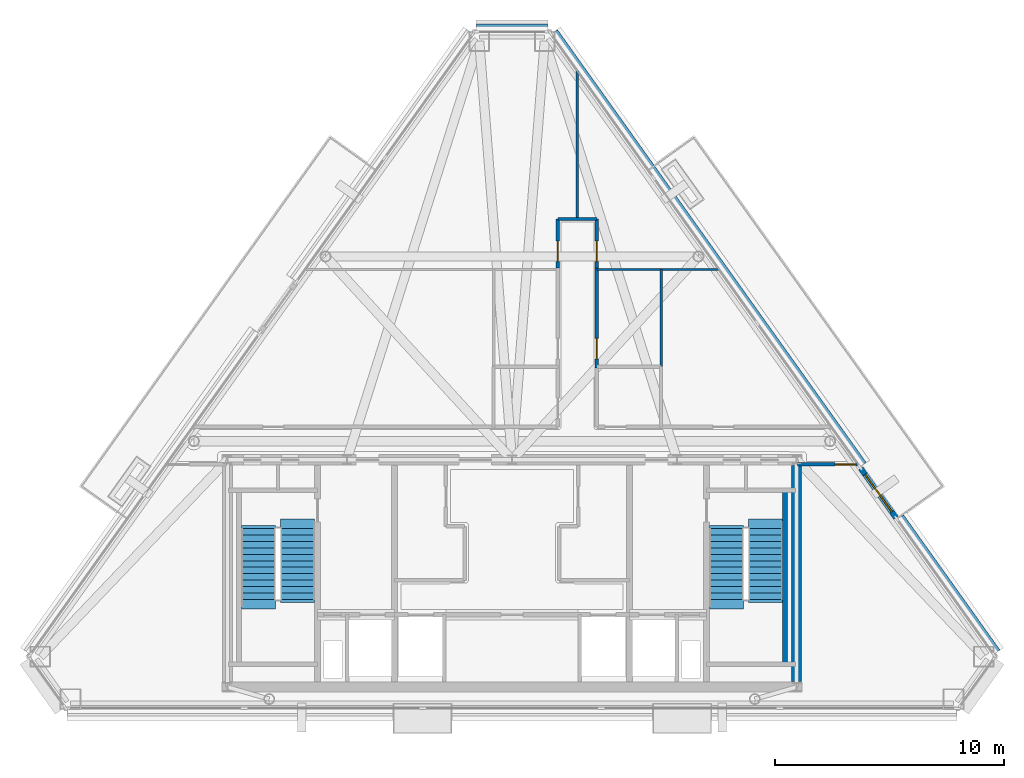
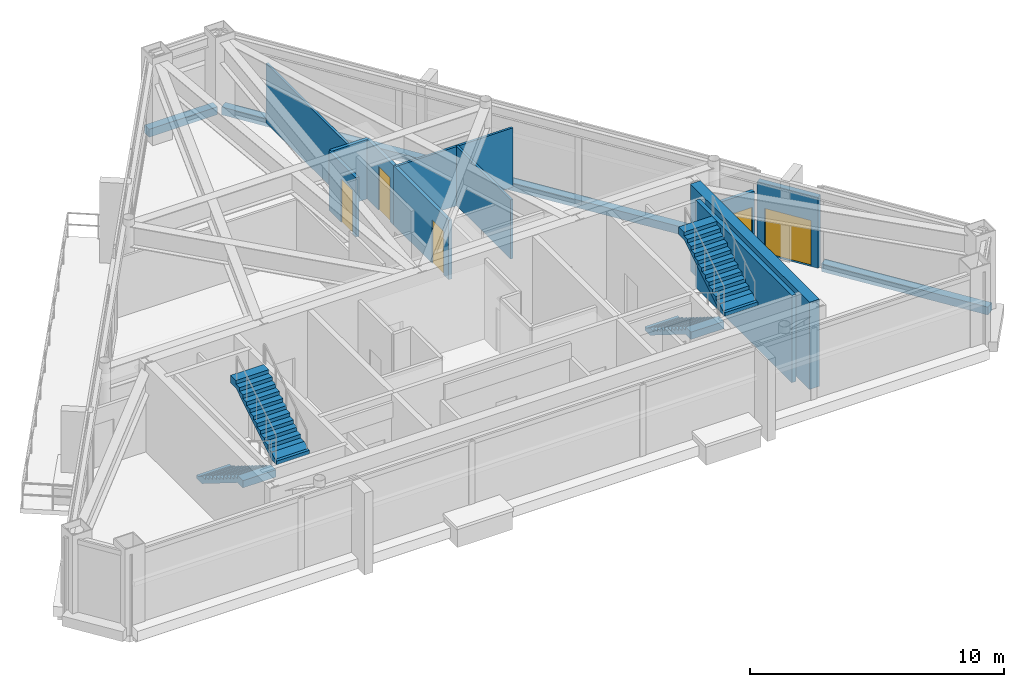
# One storey, part 5 of 7: 14 walls, 5 doors, 4 stair flights, 5 openings, 2 elements without a shape of their own.
"""IFC4 building model written with IfcOpenShell, lengths in metres."""

from ifc_helpers import new_model, si_unit, direction, frame, frame_2d, origin, place, context, subcontext, project, spatial, polyline, rectangle, outline, extrude, material, layer, layer_set, type_object, element, fill, aggregate, save


model = new_model("IFC4")

# Units and contexts
model_context = context("Model", 3, precision=1e-05, world=origin(), true_north=direction((0.0, 1.0)))
body_context = subcontext(model_context, "Body", "Model", "MODEL_VIEW")
ifc_project = project(units=[si_unit("LENGTHUNIT", "METRE"), si_unit("AREAUNIT", "SQUARE_METRE"), si_unit("VOLUMEUNIT", "CUBIC_METRE"), si_unit("PLANEANGLEUNIT", "RADIAN"), si_unit("MASSUNIT", "GRAM", prefix="KILO")], contexts=[model_context])

# Site, building, storey
site_placement = place(None, origin())
site = spatial("IfcSite", under=ifc_project, at=site_placement, CompositionType="ELEMENT")
building_placement = place(site_placement, origin())
building = spatial("IfcBuilding", under=site, at=building_placement, Name="Talgorran Terracotta Tower", CompositionType="ELEMENT")
storey_placement = place(building_placement, frame((0.0, 0.0, 293.39990234375)))
storey = spatial("IfcBuildingStorey", under=building, at=storey_placement, Name="L77", CompositionType="ELEMENT", Elevation=293.39990234375)

# Wall, opening, door
ifc_material_1 = material(Name="Concrete C40/50", Category="concrete")
ifc_layer_1 = layer(ifc_material_1, 0.239990234375, Name="WT_BALCONY_SPAND")
ifc_layer_set_1 = layer_set([ifc_layer_1], Name="Concrete C40/50")
wall_type_1 = type_object("IfcWallType", Name="WT_BALCONY_SPAND", PredefinedType="STANDARD", material=ifc_layer_set_1)
wall_1_placement = place(storey_placement, frame((16.73974609375, -6.7216796875, -0.014892578125), z_axis=(0.0, 0.0, 1.0), x_axis=(-0.580756960622, 0.814076994325, 0.0)))
wall_1 = element("IfcWall", 1, at=wall_1_placement, inside=storey, type_object=wall_type_1, Name="WL-L77-BALP-TERR-NE", PredefinedType="STANDARD", context=body_context, shape_type="SweptSolid", body=[
    extrude(rectangle(XDim=2.639892578125, YDim=0.239990234375, at=frame_2d((1.31982421875, 0.0))), origin(), (0.0, 0.0, 1.0), 3.4130859375),
])
opening_1_placement = place(wall_1_placement, frame((0.320068359375, 0.0, 0.014892578125)))
opening_1 = element("IfcOpeningElement", 2, at=opening_1_placement, cuts=wall_1, Name="Opening D-BAL-L77-1", PredefinedType="OPENING", context=body_context, shape_type="SweptSolid", body=[
    extrude(rectangle(XDim=2.006, YDim=2.203951171875, at=frame_2d((1.0, 1.10205078125))), frame((0.0, 0.1298828125, 0.0), z_axis=(0.0, -1.0, 0.0), x_axis=(1.0, 0.0, 0.0)), (0.0, 0.0, 1.0), 0.260009765625),
])
ifc_material_2 = material(Name="Structural Glazed Aluminium", Category="aluminium")
door_type_1 = type_object("IfcDoorType", Name="DT_TERR_2000", OperationType="DOUBLE_DOOR_SLIDING", PredefinedType="DOOR", material=ifc_material_2)
door_1_placement = place(opening_1_placement, origin())
door_1 = element("IfcDoor", 3, at=door_1_placement, inside=storey, type_object=door_type_1, Name="DR-L77-BAL-TERR-NE", OperationType="DOUBLE_DOOR_SLIDING", OverallHeight=2.199951171875, OverallWidth=2.0, PredefinedType="DOOR", context=body_context, shape_type="SweptSolid", body=[
    extrude(rectangle(XDim=2.0, YDim=2.199951171875, at=frame_2d((1.0, 1.10009765625))), frame((0.0, 0.02490234375, 0.0), z_axis=(0.0, -1.0, 0.0), x_axis=(1.0, 0.0, 0.0)), (0.0, 0.0, 1.0), 0.050048828125),
])
fill(opening_1, door_1)

# Walls
ifc_material_3 = material(Name="Concrete C50/60", Category="concrete")
ifc_layer_2 = layer(ifc_material_3, 0.199951171875, Name="WT_CORE_200")
ifc_layer_set_2 = layer_set([ifc_layer_2], Name="Concrete C50/60")
wall_type_2 = type_object("IfcWallType", Name="WT_CORE_200", PredefinedType="SOLIDWALL", material=ifc_layer_set_2)
wall_2_placement = place(storey_placement, frame((11.89990234375, -13.10009765625, 0.0), z_axis=(0.0, 0.0, 1.0), x_axis=(0.0, 1.0, 0.0)))
element("IfcWall", 4, at=wall_2_placement, inside=storey, type_object=wall_type_2, Name="WL-L77-CW-ST2-E", PredefinedType="SOLIDWALL", context=body_context, shape_type="SweptSolid", body=[
    extrude(rectangle(XDim=7.580078125, YDim=0.199951171875, at=frame_2d((3.7900390625, 0.0))), origin(), (0.0, 0.0, 1.0), 4.2001953125),
])
ifc_material_4 = material(Name="Concrete C65/80", Category="concrete")
ifc_layer_3 = layer(ifc_material_4, 0.449951171875, Name="WT_CORE_EXT")
ifc_layer_set_3 = layer_set([ifc_layer_3], Name="Concrete C65/80")
wall_type_3 = type_object("IfcWallType", Name="WT_CORE_EXT", PredefinedType="SHEAR", material=ifc_layer_set_3)
wall_3_placement = place(storey_placement, frame((12.39990234375, -13.85009765625, 0.0), z_axis=(0.0, 0.0, 1.0), x_axis=(0.0, 1.0, 0.0)))
element("IfcWall", 5, at=wall_3_placement, inside=storey, type_object=wall_type_3, Name="WL-L77-CW-OUT-E", PredefinedType="SHEAR", context=body_context, shape_type="SweptSolid", body=[
    extrude(rectangle(XDim=9.400146484375, YDim=0.449951171875, at=frame_2d((4.7001953125, 0.0))), origin(), (0.0, 0.0, 1.0), 4.2001953125),
])

# Wall, opening, door
ifc_material_5 = material(Name="Fire-Rated Steel Stud Plasterboard", Category="steel")
ifc_layer_4 = layer(ifc_material_5, 0.14990234375, Name="WT_FIRE_150")
ifc_layer_set_4 = layer_set([ifc_layer_4], Name="Fire-Rated Steel Stud Plasterboard")
wall_type_4 = type_object("IfcWallType", Name="WT_FIRE_150", PredefinedType="PARTITIONING", material=ifc_layer_set_4)
wall_4_placement = place(storey_placement, frame((3.699951171875, -0.199951171875, 0.0), z_axis=(0.0, 0.0, 1.0), x_axis=(0.0, 1.0, 0.0)))
wall_4 = element("IfcWall", 6, at=wall_4_placement, inside=storey, type_object=wall_type_4, Name="WL-L77-W-L77-R10", PredefinedType="PARTITIONING", context=body_context, shape_type="SweptSolid", body=[
    extrude(rectangle(XDim=4.35986328125, YDim=0.14990234375, at=frame_2d((2.179931640625, 0.0))), origin(), (0.0, 0.0, 1.0), 2.85498046875),
])
opening_2_placement = place(wall_4_placement, frame((0.398193359375, 0.0, 0.0)))
opening_2 = element("IfcOpeningElement", 7, at=opening_2_placement, cuts=wall_4, Name="Opening DR-L77-R08", PredefinedType="OPENING", context=body_context, shape_type="SweptSolid", body=[
    extrude(rectangle(XDim=0.90590234375, YDim=2.10409765625, at=frame_2d((0.449951171875, 1.052001953125))), frame((0.0, 0.0849609375, 0.0), z_axis=(0.0, -1.0, 0.0), x_axis=(1.0, 0.0, 0.0)), (0.0, 0.0, 1.0), 0.169921875),
])
ifc_material_6 = material(Name="Fire-Rated Timber Core", Category="wood")
door_type_2 = type_object("IfcDoorType", Name="DT_FIRE_900", OperationType="NOTDEFINED", PredefinedType="DOOR", material=ifc_material_6)
door_2_placement = place(opening_2_placement, origin())
door_2 = element("IfcDoor", 8, at=door_2_placement, inside=storey, type_object=door_type_2, Name="DR-L77-R08", OperationType="SINGLE_SWING_RIGHT", OverallHeight=2.10009765625, OverallWidth=0.89990234375, PredefinedType="DOOR", context=body_context, shape_type="SweptSolid", body=[
    extrude(rectangle(XDim=0.89990234375, YDim=2.10009765625, at=frame_2d((0.449951171875, 1.050048828125))), frame((0.0, 0.02490234375, 0.0), z_axis=(0.0, -1.0, 0.0), x_axis=(1.0, 0.0, 0.0)), (0.0, 0.0, 1.0), 0.050048828125),
])
fill(opening_2, door_2)

wall_5_placement = place(storey_placement, frame((12.43994140625, -4.39990234375, 0.0), z_axis=(0.0, 0.0, 1.0), x_axis=(1.0, 0.0, 0.0)))
wall_5 = element("IfcWall", 9, at=wall_5_placement, inside=storey, type_object=wall_type_4, Name="WL-L77-W-L77-R02", PredefinedType="PARTITIONING", context=body_context, shape_type="SweptSolid", body=[
    extrude(rectangle(XDim=2.6435546875, YDim=0.14990234375, at=frame_2d((1.32177734375, 0.0))), origin(), (0.0, 0.0, 1.0), 2.85498046875),
])
opening_3_placement = place(wall_5_placement, frame((1.6435546875, 0.0, 0.0)))
opening_3 = element("IfcOpeningElement", 10, at=opening_3_placement, cuts=wall_5, Name="Opening DR-L77-R02", PredefinedType="OPENING", context=body_context, shape_type="SweptSolid", body=[
    extrude(rectangle(XDim=0.90590234375, YDim=2.10409765625, at=frame_2d((0.449951171875, 1.052001953125))), frame((0.0, 0.0849609375, 0.0), z_axis=(0.0, -1.0, 0.0), x_axis=(1.0, 0.0, 0.0)), (0.0, 0.0, 1.0), 0.169921875),
])
door_3_placement = place(opening_3_placement, origin())
door_3 = element("IfcDoor", 11, at=door_3_placement, inside=storey, type_object=door_type_2, Name="DR-L77-R02", OperationType="SINGLE_SWING_RIGHT", OverallHeight=2.10009765625, OverallWidth=0.89990234375, PredefinedType="DOOR", context=body_context, shape_type="SweptSolid", body=[
    extrude(rectangle(XDim=0.89990234375, YDim=2.10009765625, at=frame_2d((0.449951171875, 1.050048828125))), frame((0.0, 0.02490234375, 0.0), z_axis=(0.0, -1.0, 0.0), x_axis=(1.0, 0.0, 0.0)), (0.0, 0.0, 1.0), 0.050048828125),
])
fill(opening_3, door_3)

wall_6_placement = place(storey_placement, frame((2.0, 4.162109375, 0.0), z_axis=(0.0, 0.0, 1.0), x_axis=(0.0, 1.0, 0.0)))
wall_6 = element("IfcWall", 12, at=wall_6_placement, inside=storey, type_object=wall_type_4, Name="WL-L77-W-L77-R11", PredefinedType="PARTITIONING", context=body_context, shape_type="SweptSolid", body=[
    extrude(rectangle(XDim=2.137939453125, YDim=0.14990234375, at=frame_2d((1.06884765625, 0.0))), origin(), (0.0, 0.0, 1.0), 2.85498046875),
])
opening_4_placement = place(wall_6_placement, frame((0.278076171875, 0.0, 0.0)))
opening_4 = element("IfcOpeningElement", 13, at=opening_4_placement, cuts=wall_6, Name="Opening DR-L77-R09", PredefinedType="OPENING", context=body_context, shape_type="SweptSolid", body=[
    extrude(rectangle(XDim=0.90590234375, YDim=2.10409765625, at=frame_2d((0.449951171875, 1.052001953125))), frame((0.0, 0.0849609375, 0.0), z_axis=(0.0, -1.0, 0.0), x_axis=(1.0, 0.0, 0.0)), (0.0, 0.0, 1.0), 0.169921875),
])
door_4_placement = place(opening_4_placement, origin())
door_4 = element("IfcDoor", 14, at=door_4_placement, inside=storey, type_object=door_type_2, Name="DR-L77-R09", OperationType="SINGLE_SWING_LEFT", OverallHeight=2.10009765625, OverallWidth=0.89990234375, PredefinedType="DOOR", context=body_context, shape_type="SweptSolid", body=[
    extrude(rectangle(XDim=0.89990234375, YDim=2.10009765625, at=frame_2d((0.449951171875, 1.050048828125))), frame((0.0, 0.02490234375, 0.0), z_axis=(0.0, -1.0, 0.0), x_axis=(1.0, 0.0, 0.0)), (0.0, 0.0, 1.0), 0.050048828125),
])
fill(opening_4, door_4)

wall_7_placement = place(storey_placement, frame((3.699951171875, 4.162109375, 0.0), z_axis=(0.0, 0.0, 1.0), x_axis=(0.0, 1.0, 0.0)))
wall_7 = element("IfcWall", 15, at=wall_7_placement, inside=storey, type_object=wall_type_4, Name="WL-L77-W-L77-R14", PredefinedType="PARTITIONING", context=body_context, shape_type="SweptSolid", body=[
    extrude(rectangle(XDim=2.137939453125, YDim=0.14990234375, at=frame_2d((1.06884765625, 0.0))), origin(), (0.0, 0.0, 1.0), 2.85498046875),
])
opening_5_placement = place(wall_7_placement, frame((0.278076171875, 0.0, 0.0)))
opening_5 = element("IfcOpeningElement", 16, at=opening_5_placement, cuts=wall_7, Name="Opening DR-L77-R10", PredefinedType="OPENING", context=body_context, shape_type="SweptSolid", body=[
    extrude(rectangle(XDim=0.90590234375, YDim=2.10409765625, at=frame_2d((0.449951171875, 1.052001953125))), frame((0.0, 0.0849609375, 0.0), z_axis=(0.0, -1.0, 0.0), x_axis=(1.0, 0.0, 0.0)), (0.0, 0.0, 1.0), 0.169921875),
])
door_5_placement = place(opening_5_placement, origin())
door_5 = element("IfcDoor", 17, at=door_5_placement, inside=storey, type_object=door_type_2, Name="DR-L77-R10", OperationType="SINGLE_SWING_RIGHT", OverallHeight=2.10009765625, OverallWidth=0.89990234375, PredefinedType="DOOR", context=body_context, shape_type="SweptSolid", body=[
    extrude(rectangle(XDim=0.89990234375, YDim=2.10009765625, at=frame_2d((0.449951171875, 1.050048828125))), frame((0.0, 0.02490234375, 0.0), z_axis=(0.0, -1.0, 0.0), x_axis=(1.0, 0.0, 0.0)), (0.0, 0.0, 1.0), 0.050048828125),
])
fill(opening_5, door_5)

# Walls
wall_8_placement = place(storey_placement, frame((2.0, 6.300048828125, 0.0), z_axis=(0.0, 0.0, 1.0), x_axis=(1.0, 0.0, 0.0)))
element("IfcWall", 18, at=wall_8_placement, inside=storey, type_object=wall_type_4, Name="WL-L77-W-L77-R12", PredefinedType="PARTITIONING", context=body_context, shape_type="SweptSolid", body=[
    extrude(rectangle(XDim=1.699951171875, YDim=0.14990234375, at=frame_2d((0.85009765625, 0.0))), origin(), (0.0, 0.0, 1.0), 2.85498046875),
])
ifc_layer_5 = layer(ifc_material_1, 0.219970703125, Name="WT_PARAPET_RC")
ifc_layer_set_5 = layer_set([ifc_layer_5], Name="Concrete C40/50")
wall_type_5 = type_object("IfcWallType", Name="WT_PARAPET_RC", PredefinedType="PARAPET", material=ifc_layer_set_5)
wall_9_placement = place(storey_placement, frame((21.11865234375, -12.583984375, -0.199951171875), z_axis=(0.0, 0.0, 1.0), x_axis=(-0.580761854771, 0.81407350285, 0.0)))
element("IfcWall", 19, at=wall_9_placement, inside=storey, type_object=wall_type_5, Name="L77 Striped Portal Precast Cornice F40", PredefinedType="PARAPET", context=body_context, shape_type="SweptSolid", body=[
    extrude(rectangle(XDim=7.2255859375, YDim=0.360107421875, at=frame_2d((3.61279296875, 0.0))), origin(), (0.0, 0.0, 1.0), 0.380126953125),
])
wall_10_placement = place(storey_placement, frame((15.28466796875, -4.40625, -0.199951171875), z_axis=(0.0, 0.0, 1.0), x_axis=(-0.580762496963, 0.814073044709, 0.0)))
element("IfcWall", 20, at=wall_10_placement, inside=storey, type_object=wall_type_5, Name="L77 Striped Portal Precast Cornice F41", PredefinedType="PARAPET", context=body_context, shape_type="SweptSolid", body=[
    extrude(rectangle(XDim=23.16259765625, YDim=0.360107421875, at=frame_2d((11.581298828125, 0.0))), origin(), (0.0, 0.0, 1.0), 0.380126953125),
])
wall_11_placement = place(storey_placement, frame((1.552734375, 14.614501953125, -0.199951171875), z_axis=(0.0, 0.0, 1.0), x_axis=(-1.0, 0.0, 0.0)))
element("IfcWall", 21, at=wall_11_placement, inside=storey, type_object=wall_type_5, Name="L77 Striped Portal Precast Cornice F4", PredefinedType="PARAPET", context=body_context, shape_type="SweptSolid", body=[
    extrude(rectangle(XDim=3.10546875, YDim=0.360107421875, at=frame_2d((1.552734375, 0.0))), origin(), (0.0, 0.0, 1.0), 0.380126953125),
])
ifc_material_7 = material(Name="Lightweight Steel Stud Partition", Category="steel")
ifc_layer_6 = layer(ifc_material_7, 0.10498046875, Name="WT_PART_110")
ifc_layer_set_6 = layer_set([ifc_layer_6], Name="Lightweight Steel Stud Partition")
wall_type_6 = type_object("IfcWallType", Name="WT_PART_110", PredefinedType="PARTITIONING", material=ifc_layer_set_6)
wall_12_placement = place(storey_placement, frame((2.840087890625, 6.300048828125, 0.0), z_axis=(0.0, 0.0, 1.0), x_axis=(0.0, 1.0, 0.0)))
element("IfcWall", 22, at=wall_12_placement, inside=storey, type_object=wall_type_6, Name="WL-L77-W-L77-R25", PredefinedType="PARTITIONING", context=body_context, shape_type="SweptSolid", body=[
    extrude(rectangle(XDim=6.46240234375, YDim=0.10498046875, at=frame_2d((3.231201171875, 0.0))), origin(), (0.0, 0.0, 1.0), 2.85498046875),
])
wall_13_placement = place(storey_placement, frame((6.5, -0.199951171875, 0.0), z_axis=(0.0, 0.0, 1.0), x_axis=(0.0, 1.0, 0.0)))
element("IfcWall", 23, at=wall_13_placement, inside=storey, type_object=wall_type_6, Name="WL-L77-W-L77-R22", PredefinedType="PARTITIONING", context=body_context, shape_type="SweptSolid", body=[
    extrude(rectangle(XDim=4.300048828125, YDim=0.10498046875, at=frame_2d((2.14990234375, 0.0))), origin(), (0.0, 0.0, 1.0), 2.85498046875),
])
wall_14_placement = place(storey_placement, frame((3.699951171875, 4.10009765625, 0.0), z_axis=(0.0, 0.0, 1.0), x_axis=(1.0, 0.0, 0.0)))
element("IfcWall", 24, at=wall_14_placement, inside=storey, type_object=wall_type_6, Name="WL-L77-W-L77-R24", PredefinedType="PARTITIONING", context=body_context, shape_type="SweptSolid", body=[
    extrude(rectangle(XDim=5.31982421875, YDim=0.10498046875, at=frame_2d((2.659912109375, 0.0))), origin(), (0.0, 0.0, 1.0), 2.85498046875),
])

# Stair, stair flights
stair_type = type_object("IfcStairType", Name="ST_FIRE_SCISSOR", PredefinedType="HALF_TURN_STAIR", material=ifc_material_1)
stair_1_placement = place(storey_placement, origin())
stair_1 = element("IfcStair", 25, at=stair_1_placement, inside=storey, type_object=stair_type, Name="L77 West Protected Fire Stair ST-01", PredefinedType="HALF_TURN_STAIR")
ifc_layer_7 = layer(ifc_material_1, 0.179931640625, Name="STF_RC_1500")
ifc_layer_set_7 = layer_set([ifc_layer_7], Name="Concrete C40/50")
stair_flight_type = type_object("IfcStairFlightType", Name="STF_RC_1500", PredefinedType="STRAIGHT", material=ifc_layer_set_7)
stair_flight_1_placement = place(storey_placement, frame((-11.050048828125, -7.199951171875, 0.0), z_axis=(0.0, 0.0, 1.0), x_axis=(0.0, -1.0, 0.0)))
stair_flight_1 = element("IfcStairFlight", 26, at=stair_flight_1_placement, type_object=stair_flight_type, Name="ST-01 flight 1", NumberOfRisers=12, NumberOfTreads=11, PredefinedType="STRAIGHT", RiserHeight=0.175, TreadLength=0.28, context=body_context, shape_type="SweptSolid", body=[
    extrude(outline(polyline([(-0.139892578125, 0.0), (-0.139892578125, 0.175048828125), (0.0, 0.175048828125), (0.280029296875, 0.35009765625), (0.56005859375, 0.35009765625), (0.56005859375, 0.52490234375), (0.840087890625, 0.52490234375), (0.840087890625, 0.699951171875), (1.1201171875, 0.699951171875), (1.1201171875, 0.875), (1.39990234375, 0.875), (1.39990234375, 1.050048828125), (1.679931640625, 1.050048828125), (1.679931640625, 1.22509765625), (1.9599609375, 1.22509765625), (1.9599609375, 1.39990234375), (2.239990234375, 1.39990234375), (2.239990234375, 1.574951171875), (2.52001953125, 1.574951171875), (2.52001953125, 1.75), (2.800048828125, 1.75), (2.800048828125, 1.925048828125), (3.080078125, 1.925048828125), (3.080078125, 2.10009765625), (3.5, 2.10009765625), (3.5, 1.748291015625), (3.080078125, 1.748291015625), (0.28271484375, 0.0), (-0.139892578125, 0.0)])), frame((0.0, 0.75, 0.0), z_axis=(0.0, -1.0, 0.0), x_axis=(1.0, 0.0, 0.0)), (0.0, 0.0, 1.0), 1.5),
])
stair_flight_2_placement = place(storey_placement, frame((-9.35009765625, -10.280029296875, 2.10009765625), z_axis=(0.0, 0.0, 1.0), x_axis=(0.0, 1.0, 0.0)))
stair_flight_2 = element("IfcStairFlight", 27, at=stair_flight_2_placement, type_object=stair_flight_type, Name="ST-01 flight 2", NumberOfRisers=12, NumberOfTreads=11, PredefinedType="STRAIGHT", RiserHeight=0.175, TreadLength=0.28, context=body_context, shape_type="SweptSolid", body=[
    extrude(outline(polyline([(-0.139892578125, 0.0), (-0.139892578125, 0.175048828125), (0.0, 0.175048828125), (0.280029296875, 0.35009765625), (0.56005859375, 0.35009765625), (0.56005859375, 0.52490234375), (0.840087890625, 0.52490234375), (0.840087890625, 0.699951171875), (1.1201171875, 0.699951171875), (1.1201171875, 0.875), (1.39990234375, 0.875), (1.39990234375, 1.050048828125), (1.679931640625, 1.050048828125), (1.679931640625, 1.22509765625), (1.9599609375, 1.22509765625), (1.9599609375, 1.39990234375), (2.239990234375, 1.39990234375), (2.239990234375, 1.574951171875), (2.52001953125, 1.574951171875), (2.52001953125, 1.75), (2.800048828125, 1.75), (2.800048828125, 1.925048828125), (3.080078125, 1.925048828125), (3.080078125, 2.10009765625), (3.5, 2.10009765625), (3.5, 1.748291015625), (3.080078125, 1.748291015625), (0.28271484375, 0.0), (-0.139892578125, 0.0)])), frame((0.0, 0.75, 0.0), z_axis=(0.0, -1.0, 0.0), x_axis=(1.0, 0.0, 0.0)), (0.0, 0.0, 1.0), 1.5),
])
aggregate(stair_1, [stair_flight_1, stair_flight_2])

stair_2_placement = place(storey_placement, origin())
stair_2 = element("IfcStair", 28, at=stair_2_placement, inside=storey, type_object=stair_type, Name="L77 East Protected Fire Stair ST-02", PredefinedType="HALF_TURN_STAIR")
stair_flight_3_placement = place(storey_placement, frame((9.35009765625, -7.199951171875, 0.0), z_axis=(0.0, 0.0, 1.0), x_axis=(0.0, -1.0, 0.0)))
stair_flight_3 = element("IfcStairFlight", 29, at=stair_flight_3_placement, type_object=stair_flight_type, Name="ST-02 flight 1", NumberOfRisers=12, NumberOfTreads=11, PredefinedType="STRAIGHT", RiserHeight=0.175, TreadLength=0.28, context=body_context, shape_type="SweptSolid", body=[
    extrude(outline(polyline([(-0.139892578125, 0.0), (-0.139892578125, 0.175048828125), (0.0, 0.175048828125), (0.280029296875, 0.35009765625), (0.56005859375, 0.35009765625), (0.56005859375, 0.52490234375), (0.840087890625, 0.52490234375), (0.840087890625, 0.699951171875), (1.1201171875, 0.699951171875), (1.1201171875, 0.875), (1.39990234375, 0.875), (1.39990234375, 1.050048828125), (1.679931640625, 1.050048828125), (1.679931640625, 1.22509765625), (1.9599609375, 1.22509765625), (1.9599609375, 1.39990234375), (2.239990234375, 1.39990234375), (2.239990234375, 1.574951171875), (2.52001953125, 1.574951171875), (2.52001953125, 1.75), (2.800048828125, 1.75), (2.800048828125, 1.925048828125), (3.080078125, 1.925048828125), (3.080078125, 2.10009765625), (3.5, 2.10009765625), (3.5, 1.748291015625), (3.080078125, 1.748291015625), (0.28271484375, 0.0), (-0.139892578125, 0.0)])), frame((0.0, 0.75, 0.0), z_axis=(0.0, -1.0, 0.0), x_axis=(1.0, 0.0, 0.0)), (0.0, 0.0, 1.0), 1.5),
])
stair_flight_4_placement = place(storey_placement, frame((11.050048828125, -10.280029296875, 2.10009765625), z_axis=(0.0, 0.0, 1.0), x_axis=(0.0, 1.0, 0.0)))
stair_flight_4 = element("IfcStairFlight", 30, at=stair_flight_4_placement, type_object=stair_flight_type, Name="ST-02 flight 2", NumberOfRisers=12, NumberOfTreads=11, PredefinedType="STRAIGHT", RiserHeight=0.175, TreadLength=0.28, context=body_context, shape_type="SweptSolid", body=[
    extrude(outline(polyline([(-0.139892578125, 0.0), (-0.139892578125, 0.175048828125), (0.0, 0.175048828125), (0.280029296875, 0.35009765625), (0.56005859375, 0.35009765625), (0.56005859375, 0.52490234375), (0.840087890625, 0.52490234375), (0.840087890625, 0.699951171875), (1.1201171875, 0.699951171875), (1.1201171875, 0.875), (1.39990234375, 0.875), (1.39990234375, 1.050048828125), (1.679931640625, 1.050048828125), (1.679931640625, 1.22509765625), (1.9599609375, 1.22509765625), (1.9599609375, 1.39990234375), (2.239990234375, 1.39990234375), (2.239990234375, 1.574951171875), (2.52001953125, 1.574951171875), (2.52001953125, 1.75), (2.800048828125, 1.75), (2.800048828125, 1.925048828125), (3.080078125, 1.925048828125), (3.080078125, 2.10009765625), (3.5, 2.10009765625), (3.5, 1.748291015625), (3.080078125, 1.748291015625), (0.28271484375, 0.0), (-0.139892578125, 0.0)])), frame((0.0, 0.75, 0.0), z_axis=(0.0, -1.0, 0.0), x_axis=(1.0, 0.0, 0.0)), (0.0, 0.0, 1.0), 1.5),
])
aggregate(stair_2, [stair_flight_3, stair_flight_4])

save(model, "model.ifc")
